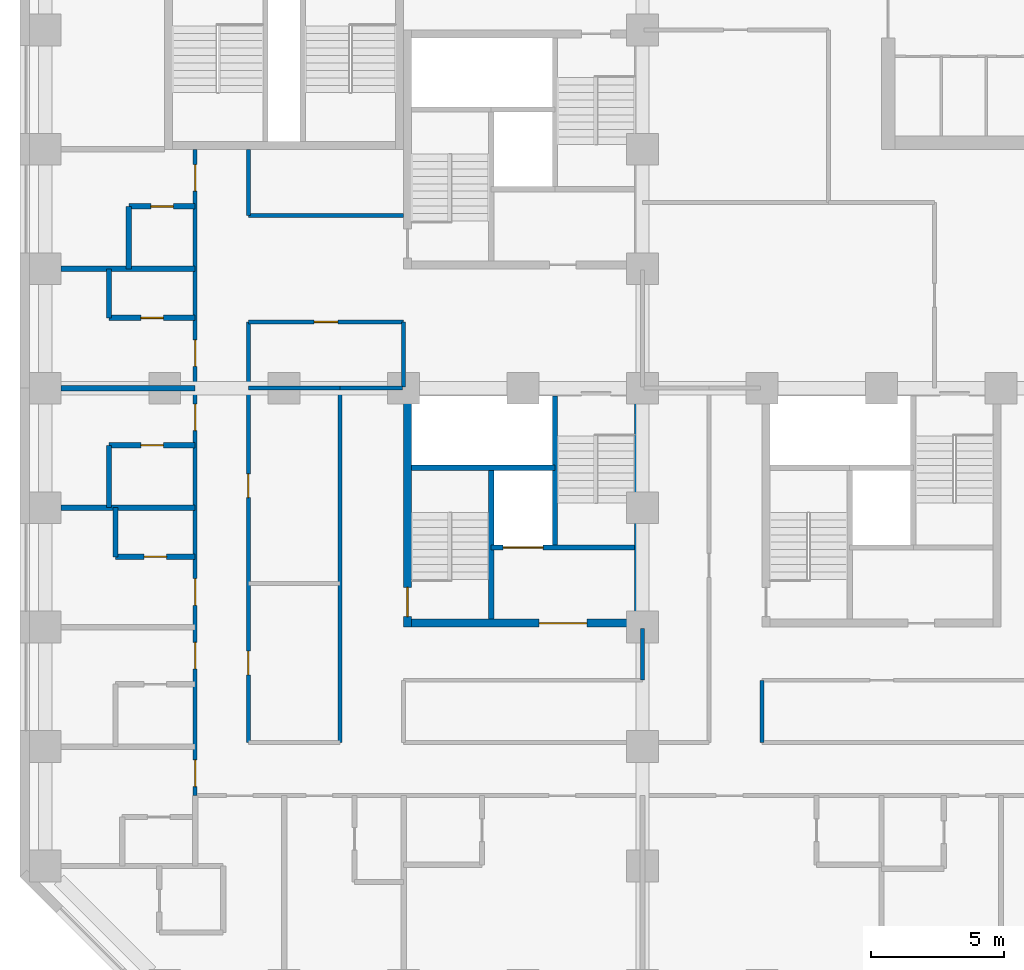
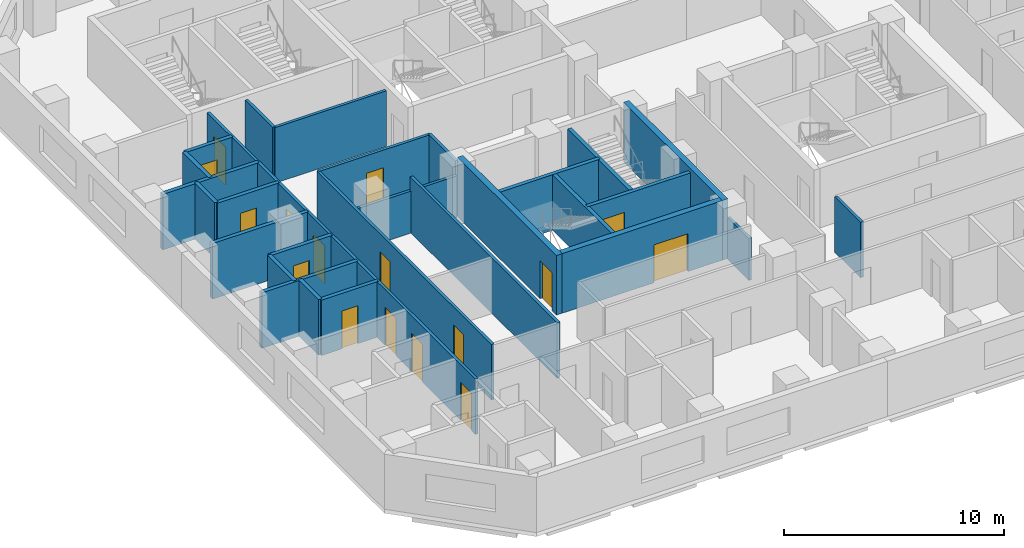
# One storey, part 3 of 12: 29 walls, 16 doors, 16 openings.
"""IFC4 building model written with IfcOpenShell, lengths in metres."""

from ifc_helpers import new_model, si_unit, direction, frame, frame_2d, origin, place, context, subcontext, project, spatial, rectangle, extrude, material, layer, layer_set, type_object, element, fill, save


model = new_model("IFC4")

# Units and contexts
model_context = context("Model", 3, precision=1e-05, world=origin(), true_north=direction((0.0, 1.0)))
body_context = subcontext(model_context, "Body", "Model", "MODEL_VIEW")
ifc_project = project(units=[si_unit("LENGTHUNIT", "METRE"), si_unit("AREAUNIT", "SQUARE_METRE"), si_unit("VOLUMEUNIT", "CUBIC_METRE"), si_unit("PLANEANGLEUNIT", "RADIAN"), si_unit("MASSUNIT", "GRAM", prefix="KILO")], contexts=[model_context])

# Site, building, storey
site_placement = place(None, origin())
site = spatial("IfcSite", under=ifc_project, at=site_placement, CompositionType="ELEMENT")
building_placement = place(site_placement, origin())
building = spatial("IfcBuilding", under=site, at=building_placement, Name="Quoin Convention Tower", CompositionType="ELEMENT")
storey_placement = place(building_placement, frame((0.0, 0.0, 56.10009765625)))
storey = spatial("IfcBuildingStorey", under=building, at=storey_placement, Name="L14", CompositionType="ELEMENT", Elevation=56.10009765625)

# Wall, opening, door
ifc_material_1 = material(Name="Concrete C50", Category="concrete")
ifc_layer_1 = layer(ifc_material_1, 0.199951171875)
ifc_layer_set_1 = layer_set([ifc_layer_1], Name="Concrete C50")
wall_type_1 = type_object("IfcWallType", Name="Core shaft wall", PredefinedType="SOLIDWALL", material=ifc_layer_set_1)
wall_1_placement = place(storey_placement, frame((30.300048828125, 34.5, 0.0), z_axis=(0.0, 0.0, 1.0), x_axis=(1.0, 0.0, 0.0)))
wall_1 = element("IfcWall", 1, at=wall_1_placement, inside=storey, type_object=wall_type_1, Name="cr-P4-L14-h3000_3300", PredefinedType="SOLIDWALL", context=body_context, shape_type="SweptSolid", body=[
    extrude(rectangle(XDim=5.39990234375, YDim=0.199951171875, at=frame_2d((2.699951171875, 0.0))), origin(), (0.0, 0.0, 1.0), 3.079833984375),
])
opening_1_placement = place(wall_1_placement, frame((0.449951171875, 0.0, 0.0)))
opening_1 = element("IfcOpeningElement", 2, at=opening_1_placement, cuts=wall_1, Name="Opening LDGL1", PredefinedType="OPENING", context=body_context, shape_type="SweptSolid", body=[
    extrude(rectangle(XDim=1.5, YDim=2.10009765625, at=frame_2d((0.75, 1.050048828125))), frame((0.0, 0.10986328125, 0.0), z_axis=(0.0, -1.0, 0.0), x_axis=(1.0, 0.0, 0.0)), (0.0, 0.0, 1.0), 0.219970703125),
])
ifc_material_2 = material(Name="Steel door leaf", Category="steel")
door_type_1 = type_object("IfcDoorType", Name="Lift landing door 1500 x 2100", OperationType="DOUBLE_DOOR_SLIDING", PredefinedType="DOOR", material=ifc_material_2)
door_1_placement = place(opening_1_placement, origin())
door_1 = element("IfcDoor", 3, at=door_1_placement, inside=storey, type_object=door_type_1, Name="cd-P4-L14-CEN-R2-LDGL1", OperationType="DOUBLE_DOOR_SLIDING", OverallHeight=2.10009765625, OverallWidth=1.5, PredefinedType="DOOR", context=body_context, shape_type="SweptSolid", body=[
    extrude(rectangle(XDim=1.5, YDim=2.10009765625, at=frame_2d((0.75, 1.050048828125))), frame((0.0, 0.02490234375, 0.0), z_axis=(0.0, -1.0, 0.0), x_axis=(1.0, 0.0, 0.0)), (0.0, 0.0, 1.0), 0.050048828125),
])
fill(opening_1, door_1)

# Walls
wall_2_placement = place(storey_placement, frame((27.300048828125, 37.5, 0.0), z_axis=(0.0, 0.0, 1.0), x_axis=(1.0, 0.0, 0.0)))
element("IfcWall", 4, at=wall_2_placement, inside=storey, type_object=wall_type_1, Name="cr-P4-L14-h6000_300", PredefinedType="SOLIDWALL", context=body_context, shape_type="SweptSolid", body=[
    extrude(rectangle(XDim=5.39990234375, YDim=0.199951171875, at=frame_2d((2.699951171875, 0.0))), origin(), (0.0, 0.0, 1.0), 3.079833984375),
])
for number, where, z_axis, x_axis, name in (
    (5, (30.300048828125, 31.800048828125, 0.0), (0.0, 0.0, 1.0), (0.0, 1.0, 0.0), "cr-P4-L14-v3300_300"),
    (6, (32.699951171875, 34.5, 0.0), (0.0, 0.0, 1.0), (0.0, 1.0, 0.0), "cr-P4-L14-v5700_3000"),
):
    element("IfcWall", number, at=place(storey_placement, frame(where, z_axis=z_axis, x_axis=x_axis)), inside=storey, type_object=wall_type_1, Name=name, PredefinedType="SOLIDWALL", context=body_context, shape_type="SweptSolid", body=[
        extrude(rectangle(XDim=5.699951171875, YDim=0.199951171875, at=frame_2d((2.85009765625, 0.0))), origin(), (0.0, 0.0, 1.0), 3.079833984375),
    ])

# Wall, opening, door
ifc_material_3 = material(Name="Concrete C80", Category="concrete")
ifc_layer_2 = layer(ifc_material_3, 0.300048828125)
ifc_layer_set_2 = layer_set([ifc_layer_2], Name="Concrete C80")
wall_type_2 = type_object("IfcWallType", Name="RC CORE WALL 300 C80", PredefinedType="SHEAR", material=ifc_layer_set_2)
wall_3_placement = place(storey_placement, frame((27.300048828125, 31.64990234375, 0.0), z_axis=(0.0, 0.0, 1.0), x_axis=(1.0, 0.0, 0.0)))
wall_3 = element("IfcWall", 7, at=wall_3_placement, inside=storey, type_object=wall_type_2, Name="cwl-P4-L14-S", PredefinedType="SHEAR", context=body_context, shape_type="SweptSolid", body=[
    extrude(rectangle(XDim=8.39990234375, YDim=0.300048828125, at=frame_2d((4.199951171875, 0.0))), origin(), (0.0, 0.0, 1.0), 3.2998046875),
])
opening_2_placement = place(wall_3_placement, frame((4.800048828125, 0.0, 0.0)))
opening_2 = element("IfcOpeningElement", 8, at=opening_2_placement, cuts=wall_3, Name="Opening DCV5-53", PredefinedType="OPENING", context=body_context, shape_type="SweptSolid", body=[
    extrude(rectangle(XDim=1.800048828125, YDim=2.10009765625, at=frame_2d((0.89990234375, 1.050048828125))), frame((0.0, 0.159912109375, 0.0), z_axis=(0.0, -1.0, 0.0), x_axis=(1.0, 0.0, 0.0)), (0.0, 0.0, 1.0), 0.320068359375),
])
door_type_2 = type_object("IfcDoorType", Name="Goods lobby door 1800 x 2100", OperationType="SINGLE_SWING_LEFT", PredefinedType="DOOR", material=ifc_material_2)
door_2_placement = place(opening_2_placement, origin())
door_2 = element("IfcDoor", 9, at=door_2_placement, inside=storey, type_object=door_type_2, Name="cd-P4-L14-R2-S", OperationType="SINGLE_SWING_LEFT", OverallHeight=2.10009765625, OverallWidth=1.800048828125, PredefinedType="DOOR", context=body_context, shape_type="SweptSolid", body=[
    extrude(rectangle(XDim=1.800048828125, YDim=2.10009765625, at=frame_2d((0.89990234375, 1.050048828125))), frame((0.0, 0.02490234375, 0.0), z_axis=(0.0, -1.0, 0.0), x_axis=(1.0, 0.0, 0.0)), (0.0, 0.0, 1.0), 0.050048828125),
])
fill(opening_2, door_2)

wall_4_placement = place(storey_placement, frame((27.14990234375, 31.5, 0.0), z_axis=(0.0, 0.0, 1.0), x_axis=(0.0, 1.0, 0.0)))
wall_4 = element("IfcWall", 10, at=wall_4_placement, inside=storey, type_object=wall_type_2, Name="cwl-P4-L14-W", PredefinedType="SHEAR", context=body_context, shape_type="SweptSolid", body=[
    extrude(rectangle(XDim=9.0, YDim=0.300048828125, at=frame_2d((4.5, 0.0))), origin(), (0.0, 0.0, 1.0), 3.2998046875),
])
opening_3_placement = place(wall_4_placement, frame((0.39990234375, 0.0, 0.0)))
opening_3 = element("IfcOpeningElement", 11, at=opening_3_placement, cuts=wall_4, Name="Opening SD7", PredefinedType="OPENING", context=body_context, shape_type="SweptSolid", body=[
    extrude(rectangle(XDim=1.10009765625, YDim=2.10009765625, at=frame_2d((0.550048828125, 1.050048828125))), frame((0.0, 0.159912109375, 0.0), z_axis=(0.0, -1.0, 0.0), x_axis=(1.0, 0.0, 0.0)), (0.0, 0.0, 1.0), 0.320068359375),
])
door_type_3 = type_object("IfcDoorType", Name="Stair door 1100 x 2100", OperationType="SINGLE_SWING_RIGHT", PredefinedType="DOOR", material=ifc_material_2)
door_3_placement = place(opening_3_placement, frame((1.10009765625, 0.0, 0.0), z_axis=(0.0, 0.0, 1.0), x_axis=(-1.0, 0.0, 0.0)))
door_3 = element("IfcDoor", 12, at=door_3_placement, inside=storey, type_object=door_type_3, Name="cd-P4-L14-SA-W", OperationType="SINGLE_SWING_RIGHT", OverallHeight=2.10009765625, OverallWidth=1.10009765625, PredefinedType="DOOR", context=body_context, shape_type="SweptSolid", body=[
    extrude(rectangle(XDim=1.10009765625, YDim=2.10009765625, at=frame_2d((0.550048828125, 1.050048828125))), frame((0.0, 0.02490234375, 0.0), z_axis=(0.0, -1.0, 0.0), x_axis=(1.0, 0.0, 0.0)), (0.0, 0.0, 1.0), 0.050048828125),
])
fill(opening_3, door_3)

# Wall
wall_5_placement = place(storey_placement, frame((35.85009765625, 31.5, 0.0), z_axis=(0.0, 0.0, 1.0), x_axis=(0.0, 1.0, 0.0)))
element("IfcWall", 13, at=wall_5_placement, inside=storey, type_object=wall_type_2, Name="cwl-P4-L14-E", PredefinedType="SHEAR", context=body_context, shape_type="SweptSolid", body=[
    extrude(rectangle(XDim=9.0, YDim=0.300048828125, at=frame_2d((4.5, 0.0))), origin(), (0.0, 0.0, 1.0), 3.2998046875),
])

# Wall, opening, door
ifc_layer_3 = layer(ifc_material_1, 0.199951171875)
ifc_layer_set_3 = layer_set([ifc_layer_3], Name="Concrete C50")
wall_type_3 = type_object("IfcWallType", Name="RC party wall", PredefinedType="SOLIDWALL", material=ifc_layer_set_3)
wall_6_placement = place(storey_placement, frame((16.14990234375, 34.14990234375, 0.0), z_axis=(0.0, 0.0, 1.0), x_axis=(1.0, 0.0, 0.0)))
wall_6 = element("IfcWall", 14, at=wall_6_placement, inside=storey, type_object=wall_type_3, Name="pw-L14-069", PredefinedType="SOLIDWALL", context=body_context, shape_type="SweptSolid", body=[
    extrude(rectangle(XDim=3.0, YDim=0.199951171875, at=frame_2d((1.5, 0.0))), origin(), (0.0, 0.0, 1.0), 3.079833984375),
])
opening_4_placement = place(wall_6_placement, frame((1.074951171875, 0.0, 0.0)))
opening_4 = element("IfcOpeningElement", 15, at=opening_4_placement, cuts=wall_6, Name="Opening DHOTEL-C-52", PredefinedType="OPENING", context=body_context, shape_type="SweptSolid", body=[
    extrude(rectangle(XDim=0.85009765625, YDim=2.10009765625, at=frame_2d((0.425048828125, 1.050048828125))), frame((0.0, 0.10986328125, 0.0), z_axis=(0.0, -1.0, 0.0), x_axis=(1.0, 0.0, 0.0)), (0.0, 0.0, 1.0), 0.219970703125),
])
door_type_4 = type_object("IfcDoorType", Name="Bathroom door", OperationType="SINGLE_SWING_LEFT", PredefinedType="DOOR", material=ifc_material_2)
door_4_placement = place(opening_4_placement, frame((0.85009765625, 0.0, 0.0), z_axis=(0.0, 0.0, 1.0), x_axis=(-1.0, 0.0, 0.0)))
door_4 = element("IfcDoor", 16, at=door_4_placement, inside=storey, type_object=door_type_4, Name="dr-L14-014", OperationType="SINGLE_SWING_LEFT", OverallHeight=2.10009765625, OverallWidth=0.85009765625, PredefinedType="DOOR", context=body_context, shape_type="SweptSolid", body=[
    extrude(rectangle(XDim=0.85009765625, YDim=2.10009765625, at=frame_2d((0.425048828125, 1.050048828125))), frame((0.0, 0.02490234375, 0.0), z_axis=(0.0, -1.0, 0.0), x_axis=(1.0, 0.0, 0.0)), (0.0, 0.0, 1.0), 0.050048828125),
])
fill(opening_4, door_4)

# Walls
wall_7_placement = place(storey_placement, frame((16.14990234375, 34.14990234375, 0.0), z_axis=(0.0, 0.0, 1.0), x_axis=(0.0, 1.0, 0.0)))
element("IfcWall", 17, at=wall_7_placement, inside=storey, type_object=wall_type_3, Name="pw-L14-070", PredefinedType="SOLIDWALL", context=body_context, shape_type="SweptSolid", body=[
    extrude(rectangle(XDim=1.85009765625, YDim=0.199951171875, at=frame_2d((0.925048828125, 0.0))), origin(), (0.0, 0.0, 1.0), 3.079833984375),
])
wall_8_placement = place(storey_placement, frame((14.10009765625, 36.0, 0.0), z_axis=(0.0, 0.0, 1.0), x_axis=(1.0, 0.0, 0.0)))
element("IfcWall", 18, at=wall_8_placement, inside=storey, type_object=wall_type_3, Name="pw-L14-071", PredefinedType="SOLIDWALL", context=body_context, shape_type="SweptSolid", body=[
    extrude(rectangle(XDim=5.0498046875, YDim=0.199951171875, at=frame_2d((2.52490234375, 0.0))), origin(), (0.0, 0.0, 1.0), 3.079833984375),
])
wall_9_placement = place(storey_placement, frame((15.89990234375, 36.0, 0.0), z_axis=(0.0, 0.0, 1.0), x_axis=(0.0, 1.0, 0.0)))
element("IfcWall", 19, at=wall_9_placement, inside=storey, type_object=wall_type_3, Name="pw-L14-072", PredefinedType="SOLIDWALL", context=body_context, shape_type="SweptSolid", body=[
    extrude(rectangle(XDim=2.35009765625, YDim=0.199951171875, at=frame_2d((1.175048828125, 0.0))), origin(), (0.0, 0.0, 1.0), 3.079833984375),
])

# Wall, opening, door
wall_10_placement = place(storey_placement, frame((15.89990234375, 38.35009765625, 0.0), z_axis=(0.0, 0.0, 1.0), x_axis=(1.0, 0.0, 0.0)))
wall_10 = element("IfcWall", 20, at=wall_10_placement, inside=storey, type_object=wall_type_3, Name="pw-L14-076", PredefinedType="SOLIDWALL", context=body_context, shape_type="SweptSolid", body=[
    extrude(rectangle(XDim=3.25, YDim=0.199951171875, at=frame_2d((1.625, 0.0))), origin(), (0.0, 0.0, 1.0), 3.079833984375),
])
opening_5_placement = place(wall_10_placement, frame((1.199951171875, 0.0, 0.0)))
opening_5 = element("IfcOpeningElement", 21, at=opening_5_placement, cuts=wall_10, Name="Opening DHOTEL-C-54", PredefinedType="OPENING", context=body_context, shape_type="SweptSolid", body=[
    extrude(rectangle(XDim=0.85009765625, YDim=2.10009765625, at=frame_2d((0.425048828125, 1.050048828125))), frame((0.0, 0.10986328125, 0.0), z_axis=(0.0, -1.0, 0.0), x_axis=(1.0, 0.0, 0.0)), (0.0, 0.0, 1.0), 0.219970703125),
])
door_5_placement = place(opening_5_placement, origin())
door_5 = element("IfcDoor", 22, at=door_5_placement, inside=storey, type_object=door_type_4, Name="dr-L14-016", OperationType="SINGLE_SWING_RIGHT", OverallHeight=2.10009765625, OverallWidth=0.85009765625, PredefinedType="DOOR", context=body_context, shape_type="SweptSolid", body=[
    extrude(rectangle(XDim=0.85009765625, YDim=2.10009765625, at=frame_2d((0.425048828125, 1.050048828125))), frame((0.0, 0.02490234375, 0.0), z_axis=(0.0, -1.0, 0.0), x_axis=(1.0, 0.0, 0.0)), (0.0, 0.0, 1.0), 0.050048828125),
])
fill(opening_5, door_5)

# Wall
wall_11_placement = place(storey_placement, frame((14.10009765625, 40.5, 0.0), z_axis=(0.0, 0.0, 1.0), x_axis=(1.0, 0.0, 0.0)))
element("IfcWall", 23, at=wall_11_placement, inside=storey, type_object=wall_type_3, Name="pw-L14-077", PredefinedType="SOLIDWALL", context=body_context, shape_type="SweptSolid", body=[
    extrude(rectangle(XDim=5.0498046875, YDim=0.199951171875, at=frame_2d((2.52490234375, 0.0))), origin(), (0.0, 0.0, 1.0), 3.079833984375),
])

# Wall, opening, door
wall_12_placement = place(storey_placement, frame((15.89990234375, 43.14990234375, 0.0), z_axis=(0.0, 0.0, 1.0), x_axis=(1.0, 0.0, 0.0)))
wall_12 = element("IfcWall", 24, at=wall_12_placement, inside=storey, type_object=wall_type_3, Name="pw-L14-082", PredefinedType="SOLIDWALL", context=body_context, shape_type="SweptSolid", body=[
    extrude(rectangle(XDim=3.25, YDim=0.199951171875, at=frame_2d((1.625, 0.0))), origin(), (0.0, 0.0, 1.0), 3.079833984375),
])
opening_6_placement = place(wall_12_placement, frame((1.199951171875, 0.0, 0.0)))
opening_6 = element("IfcOpeningElement", 25, at=opening_6_placement, cuts=wall_12, Name="Opening DHOTEL-C-56", PredefinedType="OPENING", context=body_context, shape_type="SweptSolid", body=[
    extrude(rectangle(XDim=0.85009765625, YDim=2.10009765625, at=frame_2d((0.425048828125, 1.050048828125))), frame((0.0, 0.10986328125, 0.0), z_axis=(0.0, -1.0, 0.0), x_axis=(1.0, 0.0, 0.0)), (0.0, 0.0, 1.0), 0.219970703125),
])
door_6_placement = place(opening_6_placement, frame((0.85009765625, 0.0, 0.0), z_axis=(0.0, 0.0, 1.0), x_axis=(-1.0, 0.0, 0.0)))
door_6 = element("IfcDoor", 26, at=door_6_placement, inside=storey, type_object=door_type_4, Name="dr-L14-018", OperationType="SINGLE_SWING_LEFT", OverallHeight=2.10009765625, OverallWidth=0.85009765625, PredefinedType="DOOR", context=body_context, shape_type="SweptSolid", body=[
    extrude(rectangle(XDim=0.85009765625, YDim=2.10009765625, at=frame_2d((0.425048828125, 1.050048828125))), frame((0.0, 0.02490234375, 0.0), z_axis=(0.0, -1.0, 0.0), x_axis=(1.0, 0.0, 0.0)), (0.0, 0.0, 1.0), 0.050048828125),
])
fill(opening_6, door_6)

# Walls
wall_13_placement = place(storey_placement, frame((15.89990234375, 43.14990234375, 0.0), z_axis=(0.0, 0.0, 1.0), x_axis=(0.0, 1.0, 0.0)))
element("IfcWall", 27, at=wall_13_placement, inside=storey, type_object=wall_type_3, Name="pw-L14-083", PredefinedType="SOLIDWALL", context=body_context, shape_type="SweptSolid", body=[
    extrude(rectangle(XDim=1.85009765625, YDim=0.199951171875, at=frame_2d((0.925048828125, 0.0))), origin(), (0.0, 0.0, 1.0), 3.079833984375),
])
wall_14_placement = place(storey_placement, frame((14.10009765625, 45.0, 0.0), z_axis=(0.0, 0.0, 1.0), x_axis=(1.0, 0.0, 0.0)))
element("IfcWall", 28, at=wall_14_placement, inside=storey, type_object=wall_type_3, Name="pw-L14-086", PredefinedType="SOLIDWALL", context=body_context, shape_type="SweptSolid", body=[
    extrude(rectangle(XDim=5.0498046875, YDim=0.199951171875, at=frame_2d((2.52490234375, 0.0))), origin(), (0.0, 0.0, 1.0), 3.079833984375),
])
wall_15_placement = place(storey_placement, frame((16.64990234375, 45.0, 0.0), z_axis=(0.0, 0.0, 1.0), x_axis=(0.0, 1.0, 0.0)))
element("IfcWall", 29, at=wall_15_placement, inside=storey, type_object=wall_type_3, Name="pw-L14-087", PredefinedType="SOLIDWALL", context=body_context, shape_type="SweptSolid", body=[
    extrude(rectangle(XDim=2.35009765625, YDim=0.199951171875, at=frame_2d((1.175048828125, 0.0))), origin(), (0.0, 0.0, 1.0), 3.079833984375),
])

# Wall, opening, door
wall_16_placement = place(storey_placement, frame((16.64990234375, 47.35009765625, 0.0), z_axis=(0.0, 0.0, 1.0), x_axis=(1.0, 0.0, 0.0)))
wall_16 = element("IfcWall", 30, at=wall_16_placement, inside=storey, type_object=wall_type_3, Name="pw-L14-091", PredefinedType="SOLIDWALL", context=body_context, shape_type="SweptSolid", body=[
    extrude(rectangle(XDim=2.5, YDim=0.199951171875, at=frame_2d((1.25, 0.0))), origin(), (0.0, 0.0, 1.0), 3.079833984375),
])
opening_7_placement = place(wall_16_placement, frame((0.824951171875, 0.0, 0.0)))
opening_7 = element("IfcOpeningElement", 31, at=opening_7_placement, cuts=wall_16, Name="Opening DHOTEL-C-58", PredefinedType="OPENING", context=body_context, shape_type="SweptSolid", body=[
    extrude(rectangle(XDim=0.85009765625, YDim=2.10009765625, at=frame_2d((0.425048828125, 1.050048828125))), frame((0.0, 0.10986328125, 0.0), z_axis=(0.0, -1.0, 0.0), x_axis=(1.0, 0.0, 0.0)), (0.0, 0.0, 1.0), 0.219970703125),
])
door_7_placement = place(opening_7_placement, frame((0.85009765625, 0.0, 0.0), z_axis=(0.0, 0.0, 1.0), x_axis=(-1.0, 0.0, 0.0)))
door_7 = element("IfcDoor", 32, at=door_7_placement, inside=storey, type_object=door_type_4, Name="dr-L14-020", OperationType="SINGLE_SWING_LEFT", OverallHeight=2.10009765625, OverallWidth=0.85009765625, PredefinedType="DOOR", context=body_context, shape_type="SweptSolid", body=[
    extrude(rectangle(XDim=0.85009765625, YDim=2.10009765625, at=frame_2d((0.425048828125, 1.050048828125))), frame((0.0, 0.02490234375, 0.0), z_axis=(0.0, -1.0, 0.0), x_axis=(1.0, 0.0, 0.0)), (0.0, 0.0, 1.0), 0.050048828125),
])
fill(opening_7, door_7)

# Wall, openings, doors
ifc_material_4 = material(Name="Plasterboard")
ifc_layer_4 = layer(ifc_material_4, 0.012451171875, Name="Finish")
ifc_material_5 = material(Name="Steel stud framing", Category="steel")
ifc_layer_5 = layer(ifc_material_5, 0.125, Name="Structure")
ifc_layer_6 = layer(ifc_material_4, 0.012451171875, Name="Finish")
ifc_layer_set_4 = layer_set([ifc_layer_4, ifc_layer_5, ifc_layer_6], Name="Steel stud framing")
wall_type_4 = type_object("IfcWallType", Name="corridor partition", PredefinedType="PARTITIONING", material=ifc_layer_set_4)
wall_17_placement = place(storey_placement, frame((19.14990234375, 25.14990234375, 0.0), z_axis=(0.0, 0.0, 1.0), x_axis=(0.0, 1.0, 0.0)))
wall_17 = element("IfcWall", 33, at=wall_17_placement, inside=storey, type_object=wall_type_4, Name="pw-L14-004", PredefinedType="PARTITIONING", context=body_context, shape_type="SweptSolid", body=[
    extrude(rectangle(XDim=24.35009765625, YDim=0.14990234375, at=frame_2d((12.175048828125, 0.0))), origin(), (0.0, 0.0, 1.0), 3.079833984375),
])
opening_8_placement = place(wall_17_placement, frame((0.346923828125, 0.0, 0.0)))
opening_8 = element("IfcOpeningElement", 34, at=opening_8_placement, cuts=wall_17, Name="Opening DHOTEL-C-07", PredefinedType="OPENING", context=body_context, shape_type="SweptSolid", body=[
    extrude(rectangle(XDim=1.0, YDim=2.10009765625, at=frame_2d((0.5, 1.050048828125))), frame((0.0, 0.0849609375, 0.0), z_axis=(0.0, -1.0, 0.0), x_axis=(1.0, 0.0, 0.0)), (0.0, 0.0, 1.0), 0.169921875),
])
opening_9_placement = place(wall_17_placement, frame((4.77490234375, 0.0, 0.0)))
opening_9 = element("IfcOpeningElement", 35, at=opening_9_placement, cuts=wall_17, Name="Opening DHOTEL-C-08", PredefinedType="OPENING", context=body_context, shape_type="SweptSolid", body=[
    extrude(rectangle(XDim=1.0, YDim=2.10009765625, at=frame_2d((0.5, 1.050048828125))), frame((0.0, 0.0849609375, 0.0), z_axis=(0.0, -1.0, 0.0), x_axis=(1.0, 0.0, 0.0)), (0.0, 0.0, 1.0), 0.169921875),
])
opening_10_placement = place(wall_17_placement, frame((7.175048828125, 0.0, 0.0)))
opening_10 = element("IfcOpeningElement", 36, at=opening_10_placement, cuts=wall_17, Name="Opening DHOTEL-C-09", PredefinedType="OPENING", context=body_context, shape_type="SweptSolid", body=[
    extrude(rectangle(XDim=1.0, YDim=2.10009765625, at=frame_2d((0.5, 1.050048828125))), frame((0.0, 0.0849609375, 0.0), z_axis=(0.0, -1.0, 0.0), x_axis=(1.0, 0.0, 0.0)), (0.0, 0.0, 1.0), 0.169921875),
])
opening_11_placement = place(wall_17_placement, frame((13.75, 0.0, 0.0)))
opening_11 = element("IfcOpeningElement", 37, at=opening_11_placement, cuts=wall_17, Name="Opening DHOTEL-C-10", PredefinedType="OPENING", context=body_context, shape_type="SweptSolid", body=[
    extrude(rectangle(XDim=1.0, YDim=2.10009765625, at=frame_2d((0.5, 1.050048828125))), frame((0.0, 0.0849609375, 0.0), z_axis=(0.0, -1.0, 0.0), x_axis=(1.0, 0.0, 0.0)), (0.0, 0.0, 1.0), 0.169921875),
])
opening_12_placement = place(wall_17_placement, frame((16.175048828125, 0.0, 0.0)))
opening_12 = element("IfcOpeningElement", 38, at=opening_12_placement, cuts=wall_17, Name="Opening DHOTEL-C-11", PredefinedType="OPENING", context=body_context, shape_type="SweptSolid", body=[
    extrude(rectangle(XDim=1.0, YDim=2.10009765625, at=frame_2d((0.5, 1.050048828125))), frame((0.0, 0.0849609375, 0.0), z_axis=(0.0, -1.0, 0.0), x_axis=(1.0, 0.0, 0.0)), (0.0, 0.0, 1.0), 0.169921875),
])
opening_13_placement = place(wall_17_placement, frame((22.77490234375, 0.0, 0.0)))
opening_13 = element("IfcOpeningElement", 39, at=opening_13_placement, cuts=wall_17, Name="Opening DHOTEL-C-12", PredefinedType="OPENING", context=body_context, shape_type="SweptSolid", body=[
    extrude(rectangle(XDim=1.0, YDim=2.10009765625, at=frame_2d((0.5, 1.050048828125))), frame((0.0, 0.0849609375, 0.0), z_axis=(0.0, -1.0, 0.0), x_axis=(1.0, 0.0, 0.0)), (0.0, 0.0, 1.0), 0.169921875),
])
door_type_5 = type_object("IfcDoorType", Name="Hotel room door", OperationType="SINGLE_SWING_LEFT", PredefinedType="DOOR", material=ifc_material_2)
door_8_placement = place(opening_8_placement, origin())
door_8 = element("IfcDoor", 40, at=door_8_placement, inside=storey, type_object=door_type_5, Name="dr-L14-009", OperationType="SINGLE_SWING_LEFT", OverallHeight=2.10009765625, OverallWidth=1.0, PredefinedType="DOOR", context=body_context, shape_type="SweptSolid", body=[
    extrude(rectangle(XDim=1.0, YDim=2.10009765625, at=frame_2d((0.5, 1.050048828125))), frame((0.0, 0.02490234375, 0.0), z_axis=(0.0, -1.0, 0.0), x_axis=(1.0, 0.0, 0.0)), (0.0, 0.0, 1.0), 0.050048828125),
])
fill(opening_8, door_8)
door_9_placement = place(opening_9_placement, origin())
door_9 = element("IfcDoor", 41, at=door_9_placement, inside=storey, type_object=door_type_5, Name="dr-L14-011", OperationType="SINGLE_SWING_RIGHT", OverallHeight=2.10009765625, OverallWidth=1.0, PredefinedType="DOOR", context=body_context, shape_type="SweptSolid", body=[
    extrude(rectangle(XDim=1.0, YDim=2.10009765625, at=frame_2d((0.5, 1.050048828125))), frame((0.0, 0.02490234375, 0.0), z_axis=(0.0, -1.0, 0.0), x_axis=(1.0, 0.0, 0.0)), (0.0, 0.0, 1.0), 0.050048828125),
])
fill(opening_9, door_9)
door_10_placement = place(opening_10_placement, origin())
door_10 = element("IfcDoor", 42, at=door_10_placement, inside=storey, type_object=door_type_5, Name="dr-L14-013", OperationType="SINGLE_SWING_RIGHT", OverallHeight=2.10009765625, OverallWidth=1.0, PredefinedType="DOOR", context=body_context, shape_type="SweptSolid", body=[
    extrude(rectangle(XDim=1.0, YDim=2.10009765625, at=frame_2d((0.5, 1.050048828125))), frame((0.0, 0.02490234375, 0.0), z_axis=(0.0, -1.0, 0.0), x_axis=(1.0, 0.0, 0.0)), (0.0, 0.0, 1.0), 0.050048828125),
])
fill(opening_10, door_10)
door_11_placement = place(opening_11_placement, origin())
door_11 = element("IfcDoor", 43, at=door_11_placement, inside=storey, type_object=door_type_5, Name="dr-L14-015", OperationType="SINGLE_SWING_LEFT", OverallHeight=2.10009765625, OverallWidth=1.0, PredefinedType="DOOR", context=body_context, shape_type="SweptSolid", body=[
    extrude(rectangle(XDim=1.0, YDim=2.10009765625, at=frame_2d((0.5, 1.050048828125))), frame((0.0, 0.02490234375, 0.0), z_axis=(0.0, -1.0, 0.0), x_axis=(1.0, 0.0, 0.0)), (0.0, 0.0, 1.0), 0.050048828125),
])
fill(opening_11, door_11)
door_12_placement = place(opening_12_placement, origin())
door_12 = element("IfcDoor", 44, at=door_12_placement, inside=storey, type_object=door_type_5, Name="dr-L14-017", OperationType="SINGLE_SWING_RIGHT", OverallHeight=2.10009765625, OverallWidth=1.0, PredefinedType="DOOR", context=body_context, shape_type="SweptSolid", body=[
    extrude(rectangle(XDim=1.0, YDim=2.10009765625, at=frame_2d((0.5, 1.050048828125))), frame((0.0, 0.02490234375, 0.0), z_axis=(0.0, -1.0, 0.0), x_axis=(1.0, 0.0, 0.0)), (0.0, 0.0, 1.0), 0.050048828125),
])
fill(opening_12, door_12)
door_13_placement = place(opening_13_placement, origin())
door_13 = element("IfcDoor", 45, at=door_13_placement, inside=storey, type_object=door_type_5, Name="dr-L14-019", OperationType="SINGLE_SWING_LEFT", OverallHeight=2.10009765625, OverallWidth=1.0, PredefinedType="DOOR", context=body_context, shape_type="SweptSolid", body=[
    extrude(rectangle(XDim=1.0, YDim=2.10009765625, at=frame_2d((0.5, 1.050048828125))), frame((0.0, 0.02490234375, 0.0), z_axis=(0.0, -1.0, 0.0), x_axis=(1.0, 0.0, 0.0)), (0.0, 0.0, 1.0), 0.050048828125),
])
fill(opening_13, door_13)

wall_18_placement = place(storey_placement, frame((21.14990234375, 27.14990234375, 0.0), z_axis=(0.0, 0.0, 1.0), x_axis=(0.0, 1.0, 0.0)))
wall_18 = element("IfcWall", 46, at=wall_18_placement, inside=storey, type_object=wall_type_4, Name="pw-L14-007", PredefinedType="PARTITIONING", context=body_context, shape_type="SweptSolid", body=[
    extrude(rectangle(XDim=15.85009765625, YDim=0.14990234375, at=frame_2d((7.925048828125, 0.0))), origin(), (0.0, 0.0, 1.0), 3.079833984375),
])
opening_14_placement = place(wall_18_placement, frame((2.550048828125, 0.0, 0.0)))
opening_14 = element("IfcOpeningElement", 47, at=opening_14_placement, cuts=wall_18, Name="Opening DHOTEL-C-17", PredefinedType="OPENING", context=body_context, shape_type="SweptSolid", body=[
    extrude(rectangle(XDim=0.89990234375, YDim=2.10009765625, at=frame_2d((0.449951171875, 1.050048828125))), frame((0.0, 0.0849609375, 0.0), z_axis=(0.0, -1.0, 0.0), x_axis=(1.0, 0.0, 0.0)), (0.0, 0.0, 1.0), 0.169921875),
])
opening_15_placement = place(wall_18_placement, frame((9.22509765625, 0.0, 0.0)))
opening_15 = element("IfcOpeningElement", 48, at=opening_15_placement, cuts=wall_18, Name="Opening DHOTEL-C-18", PredefinedType="OPENING", context=body_context, shape_type="SweptSolid", body=[
    extrude(rectangle(XDim=0.89990234375, YDim=2.10009765625, at=frame_2d((0.449951171875, 1.050048828125))), frame((0.0, 0.0849609375, 0.0), z_axis=(0.0, -1.0, 0.0), x_axis=(1.0, 0.0, 0.0)), (0.0, 0.0, 1.0), 0.169921875),
])
door_type_6 = type_object("IfcDoorType", Name="Service room door", OperationType="SINGLE_SWING_LEFT", PredefinedType="DOOR", material=ifc_material_2)
door_14_placement = place(opening_14_placement, frame((0.89990234375, 0.0, 0.0), z_axis=(0.0, 0.0, 1.0), x_axis=(-1.0, 0.0, 0.0)))
door_14 = element("IfcDoor", 49, at=door_14_placement, inside=storey, type_object=door_type_6, Name="dr-L14-071", OperationType="SINGLE_SWING_LEFT", OverallHeight=2.10009765625, OverallWidth=0.89990234375, PredefinedType="DOOR", context=body_context, shape_type="SweptSolid", body=[
    extrude(rectangle(XDim=0.89990234375, YDim=2.10009765625, at=frame_2d((0.449951171875, 1.050048828125))), frame((0.0, 0.02490234375, 0.0), z_axis=(0.0, -1.0, 0.0), x_axis=(1.0, 0.0, 0.0)), (0.0, 0.0, 1.0), 0.050048828125),
])
fill(opening_14, door_14)
door_15_placement = place(opening_15_placement, frame((0.89990234375, 0.0, 0.0), z_axis=(0.0, 0.0, 1.0), x_axis=(-1.0, 0.0, 0.0)))
door_15 = element("IfcDoor", 50, at=door_15_placement, inside=storey, type_object=door_type_6, Name="dr-L14-072", OperationType="SINGLE_SWING_LEFT", OverallHeight=2.10009765625, OverallWidth=0.89990234375, PredefinedType="DOOR", context=body_context, shape_type="SweptSolid", body=[
    extrude(rectangle(XDim=0.89990234375, YDim=2.10009765625, at=frame_2d((0.449951171875, 1.050048828125))), frame((0.0, 0.02490234375, 0.0), z_axis=(0.0, -1.0, 0.0), x_axis=(1.0, 0.0, 0.0)), (0.0, 0.0, 1.0), 0.050048828125),
])
fill(opening_15, door_15)

# Walls
wall_19_placement = place(storey_placement, frame((24.60009765625, 27.14990234375, 0.0), z_axis=(0.0, 0.0, 1.0), x_axis=(0.0, 1.0, 0.0)))
element("IfcWall", 51, at=wall_19_placement, inside=storey, type_object=wall_type_4, Name="pw-L14-008", PredefinedType="PARTITIONING", context=body_context, shape_type="SweptSolid", body=[
    extrude(rectangle(XDim=13.35009765625, YDim=0.14990234375, at=frame_2d((6.675048828125, 0.0))), origin(), (0.0, 0.0, 1.0), 3.079833984375),
])
wall_20_placement = place(storey_placement, frame((40.5, 27.14990234375, 0.0), z_axis=(0.0, 0.0, 1.0), x_axis=(0.0, 1.0, 0.0)))
element("IfcWall", 52, at=wall_20_placement, inside=storey, type_object=wall_type_4, Name="pw-L14-013", PredefinedType="PARTITIONING", context=body_context, shape_type="SweptSolid", body=[
    extrude(rectangle(XDim=2.35009765625, YDim=0.14990234375, at=frame_2d((1.175048828125, 0.0))), origin(), (0.0, 0.0, 1.0), 3.079833984375),
])
wall_21_placement = place(storey_placement, frame((27.0, 40.550048828125, 0.0), z_axis=(0.0, 0.0, 1.0), x_axis=(0.0, 1.0, 0.0)))
element("IfcWall", 53, at=wall_21_placement, inside=storey, type_object=wall_type_4, Name="pw-L14-020", PredefinedType="PARTITIONING", context=body_context, shape_type="SweptSolid", body=[
    extrude(rectangle(XDim=2.449951171875, YDim=0.14990234375, at=frame_2d((1.22509765625, 0.0))), origin(), (0.0, 0.0, 1.0), 3.079833984375),
])

# Wall, opening, door
wall_22_placement = place(storey_placement, frame((21.14990234375, 43.0, 0.0), z_axis=(0.0, 0.0, 1.0), x_axis=(1.0, 0.0, 0.0)))
wall_22 = element("IfcWall", 54, at=wall_22_placement, inside=storey, type_object=wall_type_4, Name="pw-L14-023", PredefinedType="PARTITIONING", context=body_context, shape_type="SweptSolid", body=[
    extrude(rectangle(XDim=5.85009765625, YDim=0.14990234375, at=frame_2d((2.925048828125, 0.0))), origin(), (0.0, 0.0, 1.0), 3.079833984375),
])
opening_16_placement = place(wall_22_placement, frame((2.47509765625, 0.0, 0.0)))
opening_16 = element("IfcOpeningElement", 55, at=opening_16_placement, cuts=wall_22, Name="Opening DHOTEL-C-22", PredefinedType="OPENING", context=body_context, shape_type="SweptSolid", body=[
    extrude(rectangle(XDim=0.89990234375, YDim=2.10009765625, at=frame_2d((0.449951171875, 1.050048828125))), frame((0.0, 0.0849609375, 0.0), z_axis=(0.0, -1.0, 0.0), x_axis=(1.0, 0.0, 0.0)), (0.0, 0.0, 1.0), 0.169921875),
])
door_type_7 = type_object("IfcDoorType", Name="Toilet door", OperationType="SINGLE_SWING_LEFT", PredefinedType="DOOR", material=ifc_material_2)
door_16_placement = place(opening_16_placement, frame((0.89990234375, 0.0, 0.0), z_axis=(0.0, 0.0, 1.0), x_axis=(-1.0, 0.0, 0.0)))
door_16 = element("IfcDoor", 56, at=door_16_placement, inside=storey, type_object=door_type_7, Name="dr-L14-075", OperationType="SINGLE_SWING_LEFT", OverallHeight=2.10009765625, OverallWidth=0.89990234375, PredefinedType="DOOR", context=body_context, shape_type="SweptSolid", body=[
    extrude(rectangle(XDim=0.89990234375, YDim=2.10009765625, at=frame_2d((0.449951171875, 1.050048828125))), frame((0.0, 0.02490234375, 0.0), z_axis=(0.0, -1.0, 0.0), x_axis=(1.0, 0.0, 0.0)), (0.0, 0.0, 1.0), 0.050048828125),
])
fill(opening_16, door_16)

# Walls
wall_23_placement = place(storey_placement, frame((21.14990234375, 47.0, 0.0), z_axis=(0.0, 0.0, 1.0), x_axis=(1.0, 0.0, 0.0)))
element("IfcWall", 57, at=wall_23_placement, inside=storey, type_object=wall_type_4, Name="pw-L14-024", PredefinedType="PARTITIONING", context=body_context, shape_type="SweptSolid", body=[
    extrude(rectangle(XDim=5.85009765625, YDim=0.14990234375, at=frame_2d((2.925048828125, 0.0))), origin(), (0.0, 0.0, 1.0), 3.079833984375),
])
wall_24_placement = place(storey_placement, frame((21.14990234375, 47.0, 0.0), z_axis=(0.0, 0.0, 1.0), x_axis=(0.0, 1.0, 0.0)))
element("IfcWall", 58, at=wall_24_placement, inside=storey, type_object=wall_type_4, Name="pw-L14-025", PredefinedType="PARTITIONING", context=body_context, shape_type="SweptSolid", body=[
    extrude(rectangle(XDim=2.5, YDim=0.14990234375, at=frame_2d((1.25, 0.0))), origin(), (0.0, 0.0, 1.0), 3.079833984375),
])
ifc_layer_7 = layer(ifc_material_4, 0.012451171875, Name="Finish")
ifc_layer_8 = layer(ifc_material_5, 0.125, Name="Structure")
ifc_layer_9 = layer(ifc_material_4, 0.012451171875, Name="Finish")
ifc_layer_set_5 = layer_set([ifc_layer_7, ifc_layer_8, ifc_layer_9], Name="Steel stud framing")
wall_type_5 = type_object("IfcWallType", Name="corridor partition under beam 750", PredefinedType="PARTITIONING", material=ifc_layer_set_5)
wall_25_placement = place(storey_placement, frame((36.0, 29.5, 0.0), z_axis=(0.0, 0.0, 1.0), x_axis=(0.0, 1.0, 0.0)))
element("IfcWall", 59, at=wall_25_placement, inside=storey, type_object=wall_type_5, Name="pw-L14-016", PredefinedType="PARTITIONING", context=body_context, shape_type="SweptSolid", body=[
    extrude(rectangle(XDim=1.949951171875, YDim=0.14990234375, at=frame_2d((0.97509765625, 0.0))), origin(), (0.0, 0.0, 1.0), 2.329833984375),
])
wall_26_placement = place(storey_placement, frame((24.60009765625, 40.5, 0.0), z_axis=(0.0, 0.0, 1.0), x_axis=(1.0, 0.0, 0.0)))
element("IfcWall", 60, at=wall_26_placement, inside=storey, type_object=wall_type_5, Name="pw-L14-018", PredefinedType="PARTITIONING", context=body_context, shape_type="SweptSolid", body=[
    extrude(rectangle(XDim=2.349853515625, YDim=0.14990234375, at=frame_2d((1.1748046875, 0.0))), origin(), (0.0, 0.0, 1.0), 2.329833984375),
])
ifc_layer_10 = layer(ifc_material_4, 0.012451171875, Name="Finish")
ifc_layer_11 = layer(ifc_material_5, 0.125, Name="Structure")
ifc_layer_12 = layer(ifc_material_4, 0.012451171875, Name="Finish")
ifc_layer_set_6 = layer_set([ifc_layer_10, ifc_layer_11, ifc_layer_12], Name="Steel stud framing")
wall_type_6 = type_object("IfcWallType", Name="room partition under beam 750", PredefinedType="PARTITIONING", material=ifc_layer_set_6)
wall_27_placement = place(storey_placement, frame((21.14990234375, 40.5, 0.0), z_axis=(0.0, 0.0, 1.0), x_axis=(1.0, 0.0, 0.0)))
element("IfcWall", 61, at=wall_27_placement, inside=storey, type_object=wall_type_6, Name="pw-L14-155", PredefinedType="PARTITIONING", context=body_context, shape_type="SweptSolid", body=[
    extrude(rectangle(XDim=3.4501953125, YDim=0.14990234375, at=frame_2d((1.72509765625, 0.0))), origin(), (0.0, 0.0, 1.0), 2.329833984375),
])

save(model, "model.ifc")
